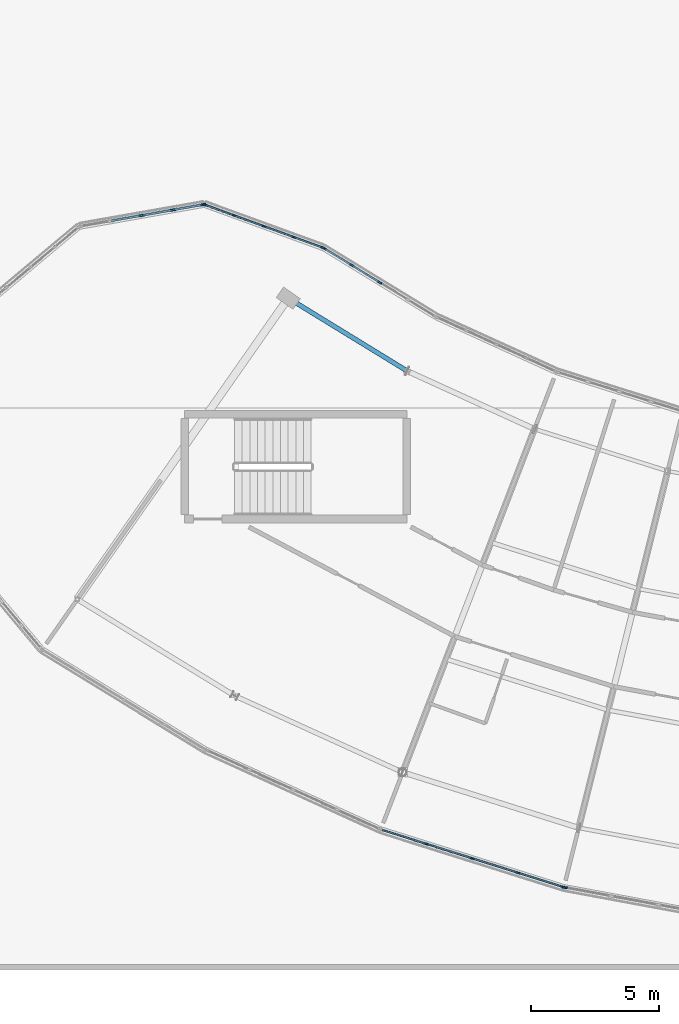
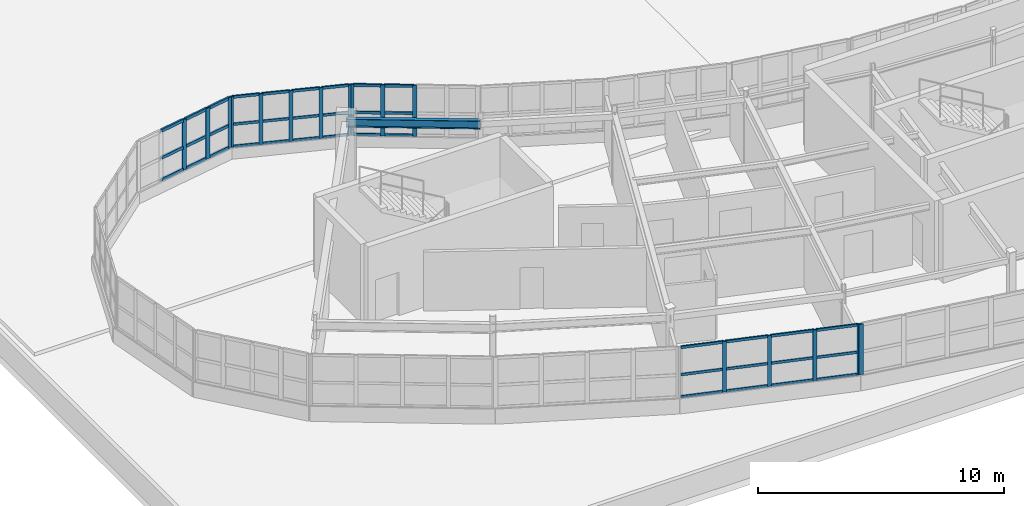
# One storey, part 28 of 128: 55 members, 1 beam, 5 elements without a shape of their own.
"""IFC4 building model written with IfcOpenShell, lengths in metres."""

from ifc_helpers import new_model, si_unit, direction, frame, origin, origin_2d, place, context, subcontext, project, spatial, rectangle, i_section, extrude, material, layer, layer_set, material_profile, profile_set, type_object, element, aggregate, save


model = new_model("IFC4")

# Units and contexts
model_context = context("Model", 3, precision=1e-05, world=origin(), true_north=direction((0.0, 1.0)))
body_context = subcontext(model_context, "Body", "Model", "MODEL_VIEW")
ifc_project = project(units=[si_unit("LENGTHUNIT", "METRE"), si_unit("AREAUNIT", "SQUARE_METRE"), si_unit("VOLUMEUNIT", "CUBIC_METRE"), si_unit("PLANEANGLEUNIT", "RADIAN"), si_unit("MASSUNIT", "GRAM", prefix="KILO")], contexts=[model_context])

# Site, building, storey
site_placement = place(None, origin())
site = spatial("IfcSite", under=ifc_project, at=site_placement, CompositionType="ELEMENT")
building_placement = place(site_placement, origin())
building = spatial("IfcBuilding", under=site, at=building_placement, Name="Tarnwether General Hospital", CompositionType="ELEMENT")
storey_placement = place(building_placement, frame((0.0, 0.0, 14.39990234375)))
storey = spatial("IfcBuildingStorey", under=building, at=storey_placement, Name="L03", CompositionType="ELEMENT", Elevation=14.39990234375)

# Beam
ifc_material_1 = material(Name="Steel Grade 350 (350 MPa)", Category="steel")
ifc_material_profile_1 = material_profile(ifc_material_1, i_section(OverallWidth=0.177978515625, OverallDepth=0.403076171875, WebThickness=0.007568359375, FlangeThickness=0.010986328125, at=origin_2d()), Name="410UB53.7")
ifc_profile_set_1 = profile_set([ifc_material_profile_1], Name="Steel Grade 350 (350 MPa)")
beam_type = type_object("IfcBeamType", Name="BM-SP2", PredefinedType="SPANDREL", material=ifc_profile_set_1)
beam_placement = place(storey_placement, frame((66.303955078125, 26.302001953125, 3.358642578125), z_axis=(0.85265897909, -0.522467860617, 0.0), x_axis=(0.522467860617, 0.85265897909, 0.0)))
element("IfcBeam", 1, at=beam_placement, inside=storey, type_object=beam_type, Name="Curved Ward SE Inner Spandrel BMG-L03-6630_2630-7097_2344-2106", PredefinedType="SPANDREL", context=body_context, shape_type="SweptSolid", body=[
    extrude(i_section(OverallWidth=0.177978515625, OverallDepth=0.403076171875, WebThickness=0.007568359375, FlangeThickness=0.010986328125, at=origin_2d()), origin(), (0.0, 0.0, 1.0), 5.469970703125),
])

# Curtain wall, members
ifc_material_2 = material(Name="Anodised aluminium", Category="aluminium")
ifc_layer_1 = layer(ifc_material_2, 0.159912109375)
ifc_layer_set_1 = layer_set([ifc_layer_1], Name="Anodised aluminium")
curtain_wall_type_1 = type_object("IfcCurtainWallType", Name="CW-04", PredefinedType="NOTDEFINED", material=ifc_layer_set_1)
curtain_wall_1_placement = place(storey_placement, origin())
curtain_wall_1 = element("IfcCurtainWall", 2, at=curtain_wall_1_placement, inside=storey, type_object=curtain_wall_type_1, Name="Curtain Wall CWG-L03-677_283-0179", PredefinedType="NOTDEFINED")
ifc_material_3 = material(Name="Anodised aluminium", Category="aluminium")
ifc_material_profile_2 = material_profile(ifc_material_3, rectangle(XDim=0.070068359375, YDim=0.179931640625, at=origin_2d()), Name="ALU-MUL-70x180")
ifc_profile_set_2 = profile_set([ifc_material_profile_2], Name="Anodised aluminium")
member_type_1 = type_object("IfcMemberType", Name="CW-ML2", PredefinedType="MULLION", material=ifc_profile_set_2)
member_1_placement = place(storey_placement, frame((67.7099609375, 28.249755859375, 1.050048828125), z_axis=(0.0, 0.0, 1.0), x_axis=(0.522512231483, 0.852631789198, 0.0)))
member_1 = element("IfcMember", 3, at=member_1_placement, type_object=member_type_1, Name="CW-04 mullion 1", PredefinedType="MULLION", context=body_context, shape_type="SweptSolid", body=[
    extrude(rectangle(XDim=0.070068359375, YDim=0.179931640625, at=origin_2d()), origin(), (0.0, 0.0, 1.0), 2.510009765625),
])
member_2_placement = place(storey_placement, frame((68.783447265625, 27.591796875, 1.050048828125), z_axis=(0.0, 0.0, 1.0), x_axis=(0.522512231483, 0.852631789198, 0.0)))
member_2 = element("IfcMember", 4, at=member_2_placement, type_object=member_type_1, Name="CW-04 mullion 2", PredefinedType="MULLION", context=body_context, shape_type="SweptSolid", body=[
    extrude(rectangle(XDim=0.070068359375, YDim=0.179931640625, at=origin_2d()), origin(), (0.0, 0.0, 1.0), 2.510009765625),
])
member_3_placement = place(storey_placement, frame((69.886962890625, 26.91552734375, 1.050048828125), z_axis=(0.0, 0.0, 1.0), x_axis=(0.522512231483, 0.852631789198, 0.0)))
member_3 = element("IfcMember", 5, at=member_3_placement, type_object=member_type_1, Name="CW-04 mullion 3", PredefinedType="MULLION", context=body_context, shape_type="SweptSolid", body=[
    extrude(rectangle(XDim=0.070068359375, YDim=0.179931640625, at=origin_2d()), origin(), (0.0, 0.0, 1.0), 2.510009765625),
])

ifc_material_4 = material(Name="Anodised aluminium", Category="aluminium")
ifc_layer_2 = layer(ifc_material_4, 0.179931640625)
ifc_layer_set_2 = layer_set([ifc_layer_2], Name="Anodised aluminium")
curtain_wall_type_2 = type_object("IfcCurtainWallType", Name="CW-08", PredefinedType="NOTDEFINED", material=ifc_layer_set_2)
curtain_wall_2_placement = place(storey_placement, origin())
curtain_wall_2 = element("IfcCurtainWall", 6, at=curtain_wall_2_placement, inside=storey, type_object=curtain_wall_type_2, Name="Curtain Wall CWG-L03-771_32-0156", PredefinedType="NOTDEFINED")
ifc_material_5 = material(Name="Anodised aluminium", Category="aluminium")
ifc_material_profile_3 = material_profile(ifc_material_5, rectangle(XDim=0.06494140625, YDim=0.169921875, at=origin_2d()), Name="ALU-MUL-65x170")
ifc_profile_set_3 = profile_set([ifc_material_profile_3], Name="Anodised aluminium")
member_type_2 = type_object("IfcMemberType", Name="CW-ML3", PredefinedType="MULLION", material=ifc_profile_set_3)
member_4_placement = place(storey_placement, frame((77.06689453125, 3.23974609375, 1.050048828125), z_axis=(0.0, 0.0, 1.0), x_axis=(-0.300628613299, -0.953741284032, 0.0)))
member_4 = element("IfcMember", 7, at=member_4_placement, type_object=member_type_2, Name="CW-08 mullion 1", PredefinedType="MULLION", context=body_context, shape_type="SweptSolid", body=[
    extrude(rectangle(XDim=0.06494140625, YDim=0.169921875, at=origin_2d()), origin(), (0.0, 0.0, 1.0), 2.510009765625),
])
member_5_placement = place(storey_placement, frame((75.3046875, 3.795166015625, 1.050048828125), z_axis=(0.0, 0.0, 1.0), x_axis=(-0.300628613299, -0.953741284032, 0.0)))
member_5 = element("IfcMember", 8, at=member_5_placement, type_object=member_type_2, Name="CW-08 mullion 2", PredefinedType="MULLION", context=body_context, shape_type="SweptSolid", body=[
    extrude(rectangle(XDim=0.06494140625, YDim=0.169921875, at=origin_2d()), origin(), (0.0, 0.0, 1.0), 2.510009765625),
])
member_6_placement = place(storey_placement, frame((73.511474609375, 4.360595703125, 1.050048828125), z_axis=(0.0, 0.0, 1.0), x_axis=(-0.300628613299, -0.953741284032, 0.0)))
member_6 = element("IfcMember", 9, at=member_6_placement, type_object=member_type_2, Name="CW-08 mullion 3", PredefinedType="MULLION", context=body_context, shape_type="SweptSolid", body=[
    extrude(rectangle(XDim=0.06494140625, YDim=0.169921875, at=origin_2d()), origin(), (0.0, 0.0, 1.0), 2.510009765625),
])
member_7_placement = place(storey_placement, frame((71.71826171875, 4.92578125, 1.050048828125), z_axis=(0.0, 0.0, 1.0), x_axis=(-0.300628613299, -0.953741284032, 0.0)))
member_7 = element("IfcMember", 10, at=member_7_placement, type_object=member_type_2, Name="CW-08 mullion 4", PredefinedType="MULLION", context=body_context, shape_type="SweptSolid", body=[
    extrude(rectangle(XDim=0.06494140625, YDim=0.169921875, at=origin_2d()), origin(), (0.0, 0.0, 1.0), 2.510009765625),
])

curtain_wall_3_placement = place(storey_placement, origin())
curtain_wall_3 = element("IfcCurtainWall", 11, at=curtain_wall_3_placement, inside=storey, type_object=curtain_wall_type_1, Name="Curtain Wall CWG-L03-630_300-0180", PredefinedType="NOTDEFINED")
member_8_placement = place(storey_placement, frame((63.04150390625, 29.956787109375, 1.050048828125), z_axis=(0.0, 0.0, 1.0), x_axis=(0.342130850834, 0.939652319163, 0.0)))
member_8 = element("IfcMember", 12, at=member_8_placement, type_object=member_type_2, Name="CW-04 mullion 1", PredefinedType="MULLION", context=body_context, shape_type="SweptSolid", body=[
    extrude(rectangle(XDim=0.06494140625, YDim=0.169921875, at=origin_2d()), origin(), (0.0, 0.0, 1.0), 2.510009765625),
])
member_9_placement = place(storey_placement, frame((64.17822265625, 29.54296875, 1.050048828125), z_axis=(0.0, 0.0, 1.0), x_axis=(0.342130850834, 0.939652319163, 0.0)))
member_9 = element("IfcMember", 13, at=member_9_placement, type_object=member_type_2, Name="CW-04 mullion 2", PredefinedType="MULLION", context=body_context, shape_type="SweptSolid", body=[
    extrude(rectangle(XDim=0.06494140625, YDim=0.169921875, at=origin_2d()), origin(), (0.0, 0.0, 1.0), 2.510009765625),
])
member_10_placement = place(storey_placement, frame((65.345458984375, 29.117919921875, 1.050048828125), z_axis=(0.0, 0.0, 1.0), x_axis=(0.342130850834, 0.939652319163, 0.0)))
member_10 = element("IfcMember", 14, at=member_10_placement, type_object=member_type_2, Name="CW-04 mullion 3", PredefinedType="MULLION", context=body_context, shape_type="SweptSolid", body=[
    extrude(rectangle(XDim=0.06494140625, YDim=0.169921875, at=origin_2d()), origin(), (0.0, 0.0, 1.0), 2.510009765625),
])
member_11_placement = place(storey_placement, frame((66.5126953125, 28.693115234375, 1.050048828125), z_axis=(0.0, 0.0, 1.0), x_axis=(0.342130850834, 0.939652319163, 0.0)))
member_11 = element("IfcMember", 15, at=member_11_placement, type_object=member_type_2, Name="CW-04 mullion 4", PredefinedType="MULLION", context=body_context, shape_type="SweptSolid", body=[
    extrude(rectangle(XDim=0.06494140625, YDim=0.169921875, at=origin_2d()), origin(), (0.0, 0.0, 1.0), 2.510009765625),
])
member_12_placement = place(storey_placement, frame((67.6494140625, 28.279052734375, 1.050048828125), z_axis=(0.0, 0.0, 1.0), x_axis=(0.342130850834, 0.939652319163, 0.0)))
member_12 = element("IfcMember", 16, at=member_12_placement, type_object=member_type_2, Name="CW-04 mullion 5", PredefinedType="MULLION", context=body_context, shape_type="SweptSolid", body=[
    extrude(rectangle(XDim=0.06494140625, YDim=0.169921875, at=origin_2d()), origin(), (0.0, 0.0, 1.0), 2.510009765625),
])

# Curtain wall, member
curtain_wall_4_placement = place(storey_placement, origin())
curtain_wall_4 = element("IfcCurtainWall", 17, at=curtain_wall_4_placement, inside=storey, type_object=curtain_wall_type_2, Name="Curtain Wall CWG-L03-845_19-0157", PredefinedType="NOTDEFINED")
ifc_material_6 = material(Name="Anodised aluminium", Category="aluminium")
ifc_material_profile_4 = material_profile(ifc_material_6, rectangle(XDim=0.080078125, YDim=0.199951171875, at=origin_2d()), Name="ALU-MUL-80x200")
ifc_profile_set_4 = profile_set([ifc_material_profile_4], Name="Anodised aluminium")
member_type_3 = type_object("IfcMemberType", Name="CW-ML4", PredefinedType="MULLION", material=ifc_profile_set_4)
member_13_placement = place(storey_placement, frame((77.137451171875, 3.22265625, 1.050048828125), z_axis=(0.0, 0.0, 1.0), x_axis=(-0.182289226614, -0.983244953132, 0.0)))
member_13 = element("IfcMember", 18, at=member_13_placement, type_object=member_type_3, Name="CW-08 mullion 5", PredefinedType="MULLION", context=body_context, shape_type="SweptSolid", body=[
    extrude(rectangle(XDim=0.080078125, YDim=0.199951171875, at=origin_2d()), origin(), (0.0, 0.0, 1.0), 2.510009765625),
])
aggregate(curtain_wall_4, [member_13])

# Curtain wall, members
curtain_wall_5_placement = place(storey_placement, origin())
curtain_wall_5 = element("IfcCurtainWall", 19, at=curtain_wall_5_placement, inside=storey, type_object=curtain_wall_type_1, Name="Curtain Wall CWG-L03-581_291-0181", PredefinedType="NOTDEFINED")
member_14_placement = place(storey_placement, frame((60.56396484375, 29.53662109375, 1.050048828125), z_axis=(0.0, 0.0, 1.0), x_axis=(-0.173659059054, 0.984805834268, 0.0)))
member_14 = element("IfcMember", 20, at=member_14_placement, type_object=member_type_3, Name="CW-04 mullion 3", PredefinedType="MULLION", context=body_context, shape_type="SweptSolid", body=[
    extrude(rectangle(XDim=0.080078125, YDim=0.199951171875, at=origin_2d()), origin(), (0.0, 0.0, 1.0), 2.510009765625),
])
member_15_placement = place(storey_placement, frame((61.78759765625, 29.752197265625, 1.050048828125), z_axis=(0.0, 0.0, 1.0), x_axis=(-0.173659059054, 0.984805834268, 0.0)))
member_15 = element("IfcMember", 21, at=member_15_placement, type_object=member_type_3, Name="CW-04 mullion 4", PredefinedType="MULLION", context=body_context, shape_type="SweptSolid", body=[
    extrude(rectangle(XDim=0.080078125, YDim=0.199951171875, at=origin_2d()), origin(), (0.0, 0.0, 1.0), 2.510009765625),
])
member_16_placement = place(storey_placement, frame((62.9716796875, 29.9609375, 1.050048828125), z_axis=(0.0, 0.0, 1.0), x_axis=(-0.173659059054, 0.984805834268, 0.0)))
member_16 = element("IfcMember", 22, at=member_16_placement, type_object=member_type_3, Name="CW-04 mullion 5", PredefinedType="MULLION", context=body_context, shape_type="SweptSolid", body=[
    extrude(rectangle(XDim=0.080078125, YDim=0.199951171875, at=origin_2d()), origin(), (0.0, 0.0, 1.0), 2.510009765625),
])

# Member
ifc_material_7 = material(Name="Anodised aluminium", Category="aluminium")
ifc_material_profile_5 = material_profile(ifc_material_7, rectangle(XDim=0.070068359375, YDim=0.139892578125, at=origin_2d()), Name="ALU-TRN-70x140")
ifc_profile_set_5 = profile_set([ifc_material_profile_5], Name="Anodised aluminium")
member_type_4 = type_object("IfcMemberType", Name="CW-TR2", PredefinedType="USERDEFINED", material=ifc_profile_set_5)
member_17_placement = place(storey_placement, frame((67.73974609375, 28.2314453125, 1.085205078125), z_axis=(0.852636658785, -0.522504285242, 0.0), x_axis=(0.522504285242, 0.852636658785, 0.0)))
member_17 = element("IfcMember", 23, at=member_17_placement, type_object=member_type_4, Name="CW-04 transom 1.1", ObjectType="TRANSOM", PredefinedType="USERDEFINED", context=body_context, shape_type="SweptSolid", body=[
    extrude(rectangle(XDim=0.070068359375, YDim=0.139892578125, at=origin_2d()), origin(), (0.0, 0.0, 1.0), 1.189208984375),
])

member_18_placement = place(storey_placement, frame((67.73974609375, 28.2314453125, 2.1796875), z_axis=(0.852636658785, -0.522504285242, 0.0), x_axis=(0.522504285242, 0.852636658785, 0.0)))
member_18 = element("IfcMember", 24, at=member_18_placement, type_object=member_type_4, Name="CW-04 transom 1.2", ObjectType="TRANSOM", PredefinedType="USERDEFINED", context=body_context, shape_type="SweptSolid", body=[
    extrude(rectangle(XDim=0.070068359375, YDim=0.139892578125, at=origin_2d()), origin(), (0.0, 0.0, 1.0), 1.189208984375),
])

member_19_placement = place(storey_placement, frame((67.73974609375, 28.2314453125, 3.525146484375), z_axis=(0.852636658785, -0.522504285242, 0.0), x_axis=(0.522504285242, 0.852636658785, 0.0)))
member_19 = element("IfcMember", 25, at=member_19_placement, type_object=member_type_4, Name="CW-04 transom 1.3", ObjectType="TRANSOM", PredefinedType="USERDEFINED", context=body_context, shape_type="SweptSolid", body=[
    extrude(rectangle(XDim=0.070068359375, YDim=0.139892578125, at=origin_2d()), origin(), (0.0, 0.0, 1.0), 1.189208984375),
])

member_20_placement = place(storey_placement, frame((68.813232421875, 27.573486328125, 1.085205078125), z_axis=(0.852670027324, -0.522449829651, 0.0), x_axis=(0.522449829651, 0.852670027324, 0.0)))
member_20 = element("IfcMember", 26, at=member_20_placement, type_object=member_type_4, Name="CW-04 transom 2.1", ObjectType="TRANSOM", PredefinedType="USERDEFINED", context=body_context, shape_type="SweptSolid", body=[
    extrude(rectangle(XDim=0.070068359375, YDim=0.139892578125, at=origin_2d()), origin(), (0.0, 0.0, 1.0), 1.224365234375),
])

member_21_placement = place(storey_placement, frame((68.813232421875, 27.573486328125, 2.1796875), z_axis=(0.852670027324, -0.522449829651, 0.0), x_axis=(0.522449829651, 0.852670027324, 0.0)))
member_21 = element("IfcMember", 27, at=member_21_placement, type_object=member_type_4, Name="CW-04 transom 2.2", ObjectType="TRANSOM", PredefinedType="USERDEFINED", context=body_context, shape_type="SweptSolid", body=[
    extrude(rectangle(XDim=0.070068359375, YDim=0.139892578125, at=origin_2d()), origin(), (0.0, 0.0, 1.0), 1.224365234375),
])

member_22_placement = place(storey_placement, frame((68.813232421875, 27.573486328125, 3.525146484375), z_axis=(0.852670027324, -0.522449829651, 0.0), x_axis=(0.522449829651, 0.852670027324, 0.0)))
member_22 = element("IfcMember", 28, at=member_22_placement, type_object=member_type_4, Name="CW-04 transom 2.3", ObjectType="TRANSOM", PredefinedType="USERDEFINED", context=body_context, shape_type="SweptSolid", body=[
    extrude(rectangle(XDim=0.070068359375, YDim=0.139892578125, at=origin_2d()), origin(), (0.0, 0.0, 1.0), 1.224365234375),
])

aggregate(curtain_wall_1, [member_1, member_2, member_3, member_17, member_18, member_19, member_20, member_21, member_22])

ifc_material_8 = material(Name="Anodised aluminium", Category="aluminium")
ifc_material_profile_6 = material_profile(ifc_material_8, rectangle(XDim=0.06494140625, YDim=0.1298828125, at=origin_2d()), Name="ALU-TRN-65x130")
ifc_profile_set_6 = profile_set([ifc_material_profile_6], Name="Anodised aluminium")
member_type_5 = type_object("IfcMemberType", Name="CW-TR3", PredefinedType="USERDEFINED", material=ifc_profile_set_6)
member_23_placement = place(storey_placement, frame((77.035888671875, 3.24951171875, 1.08251953125), z_axis=(-0.953746041138, 0.300613521008, 0.0), x_axis=(-0.300613521008, -0.953746041138, 0.0)))
member_23 = element("IfcMember", 29, at=member_23_placement, type_object=member_type_5, Name="CW-08 transom 1.1", ObjectType="TRANSOM", PredefinedType="USERDEFINED", context=body_context, shape_type="SweptSolid", body=[
    extrude(rectangle(XDim=0.06494140625, YDim=0.1298828125, at=origin_2d()), origin(), (0.0, 0.0, 1.0), 1.78271484375),
])

member_24_placement = place(storey_placement, frame((77.035888671875, 3.24951171875, 2.1796875), z_axis=(-0.953746041138, 0.300613521008, 0.0), x_axis=(-0.300613521008, -0.953746041138, 0.0)))
member_24 = element("IfcMember", 30, at=member_24_placement, type_object=member_type_5, Name="CW-08 transom 1.2", ObjectType="TRANSOM", PredefinedType="USERDEFINED", context=body_context, shape_type="SweptSolid", body=[
    extrude(rectangle(XDim=0.06494140625, YDim=0.1298828125, at=origin_2d()), origin(), (0.0, 0.0, 1.0), 1.78271484375),
])

member_25_placement = place(storey_placement, frame((77.035888671875, 3.24951171875, 3.527587890625), z_axis=(-0.953746041138, 0.300613521008, 0.0), x_axis=(-0.300613521008, -0.953746041138, 0.0)))
member_25 = element("IfcMember", 31, at=member_25_placement, type_object=member_type_5, Name="CW-08 transom 1.3", ObjectType="TRANSOM", PredefinedType="USERDEFINED", context=body_context, shape_type="SweptSolid", body=[
    extrude(rectangle(XDim=0.06494140625, YDim=0.1298828125, at=origin_2d()), origin(), (0.0, 0.0, 1.0), 1.78271484375),
])

member_26_placement = place(storey_placement, frame((75.273681640625, 3.804931640625, 1.08251953125), z_axis=(-0.953708607769, 0.300732258775, 0.0), x_axis=(-0.300732258775, -0.953708607769, 0.0)))
member_26 = element("IfcMember", 32, at=member_26_placement, type_object=member_type_5, Name="CW-08 transom 2.1", ObjectType="TRANSOM", PredefinedType="USERDEFINED", context=body_context, shape_type="SweptSolid", body=[
    extrude(rectangle(XDim=0.06494140625, YDim=0.1298828125, at=origin_2d()), origin(), (0.0, 0.0, 1.0), 1.815185546875),
])

member_27_placement = place(storey_placement, frame((75.273681640625, 3.804931640625, 2.1796875), z_axis=(-0.953708607769, 0.300732258775, 0.0), x_axis=(-0.300732258775, -0.953708607769, 0.0)))
member_27 = element("IfcMember", 33, at=member_27_placement, type_object=member_type_5, Name="CW-08 transom 2.2", ObjectType="TRANSOM", PredefinedType="USERDEFINED", context=body_context, shape_type="SweptSolid", body=[
    extrude(rectangle(XDim=0.06494140625, YDim=0.1298828125, at=origin_2d()), origin(), (0.0, 0.0, 1.0), 1.815185546875),
])

member_28_placement = place(storey_placement, frame((75.273681640625, 3.804931640625, 3.527587890625), z_axis=(-0.953708607769, 0.300732258775, 0.0), x_axis=(-0.300732258775, -0.953708607769, 0.0)))
member_28 = element("IfcMember", 34, at=member_28_placement, type_object=member_type_5, Name="CW-08 transom 2.3", ObjectType="TRANSOM", PredefinedType="USERDEFINED", context=body_context, shape_type="SweptSolid", body=[
    extrude(rectangle(XDim=0.06494140625, YDim=0.1298828125, at=origin_2d()), origin(), (0.0, 0.0, 1.0), 1.815185546875),
])

member_29_placement = place(storey_placement, frame((73.48046875, 4.370361328125, 1.08251953125), z_axis=(-0.953747176305, 0.300609919481, 0.0), x_axis=(-0.300609919481, -0.953747176305, 0.0)))
member_29 = element("IfcMember", 35, at=member_29_placement, type_object=member_type_5, Name="CW-08 transom 3.1", ObjectType="TRANSOM", PredefinedType="USERDEFINED", context=body_context, shape_type="SweptSolid", body=[
    extrude(rectangle(XDim=0.06494140625, YDim=0.1298828125, at=origin_2d()), origin(), (0.0, 0.0, 1.0), 1.815185546875),
])

member_30_placement = place(storey_placement, frame((73.48046875, 4.370361328125, 2.1796875), z_axis=(-0.953747176305, 0.300609919481, 0.0), x_axis=(-0.300609919481, -0.953747176305, 0.0)))
member_30 = element("IfcMember", 36, at=member_30_placement, type_object=member_type_5, Name="CW-08 transom 3.2", ObjectType="TRANSOM", PredefinedType="USERDEFINED", context=body_context, shape_type="SweptSolid", body=[
    extrude(rectangle(XDim=0.06494140625, YDim=0.1298828125, at=origin_2d()), origin(), (0.0, 0.0, 1.0), 1.815185546875),
])

member_31_placement = place(storey_placement, frame((73.48046875, 4.370361328125, 3.527587890625), z_axis=(-0.953747176305, 0.300609919481, 0.0), x_axis=(-0.300609919481, -0.953747176305, 0.0)))
member_31 = element("IfcMember", 37, at=member_31_placement, type_object=member_type_5, Name="CW-08 transom 3.3", ObjectType="TRANSOM", PredefinedType="USERDEFINED", context=body_context, shape_type="SweptSolid", body=[
    extrude(rectangle(XDim=0.06494140625, YDim=0.1298828125, at=origin_2d()), origin(), (0.0, 0.0, 1.0), 1.815185546875),
])

member_32_placement = place(storey_placement, frame((71.687255859375, 4.935546875, 1.08251953125), z_axis=(-0.953746041138, 0.300613521008, 0.0), x_axis=(-0.300613521008, -0.953746041138, 0.0)))
member_32 = element("IfcMember", 38, at=member_32_placement, type_object=member_type_5, Name="CW-08 transom 4.1", ObjectType="TRANSOM", PredefinedType="USERDEFINED", context=body_context, shape_type="SweptSolid", body=[
    extrude(rectangle(XDim=0.06494140625, YDim=0.1298828125, at=origin_2d()), origin(), (0.0, 0.0, 1.0), 1.78271484375),
])

member_33_placement = place(storey_placement, frame((71.687255859375, 4.935546875, 2.1796875), z_axis=(-0.953746041138, 0.300613521008, 0.0), x_axis=(-0.300613521008, -0.953746041138, 0.0)))
member_33 = element("IfcMember", 39, at=member_33_placement, type_object=member_type_5, Name="CW-08 transom 4.2", ObjectType="TRANSOM", PredefinedType="USERDEFINED", context=body_context, shape_type="SweptSolid", body=[
    extrude(rectangle(XDim=0.06494140625, YDim=0.1298828125, at=origin_2d()), origin(), (0.0, 0.0, 1.0), 1.78271484375),
])

member_34_placement = place(storey_placement, frame((71.687255859375, 4.935546875, 3.527587890625), z_axis=(-0.953746041138, 0.300613521008, 0.0), x_axis=(-0.300613521008, -0.953746041138, 0.0)))
member_34 = element("IfcMember", 40, at=member_34_placement, type_object=member_type_5, Name="CW-08 transom 4.3", ObjectType="TRANSOM", PredefinedType="USERDEFINED", context=body_context, shape_type="SweptSolid", body=[
    extrude(rectangle(XDim=0.06494140625, YDim=0.1298828125, at=origin_2d()), origin(), (0.0, 0.0, 1.0), 1.78271484375),
])

aggregate(curtain_wall_2, [member_4, member_5, member_6, member_7, member_23, member_24, member_25, member_26, member_27, member_28, member_29, member_30, member_31, member_32, member_33, member_34])

member_35_placement = place(storey_placement, frame((63.072021484375, 29.94580078125, 1.08251953125), z_axis=(0.9396688237, -0.342085518206, 0.0), x_axis=(0.342085518206, 0.9396688237, 0.0)))
member_35 = element("IfcMember", 41, at=member_35_placement, type_object=member_type_5, Name="CW-04 transom 1.1", ObjectType="TRANSOM", PredefinedType="USERDEFINED", context=body_context, shape_type="SweptSolid", body=[
    extrude(rectangle(XDim=0.06494140625, YDim=0.1298828125, at=origin_2d()), origin(), (0.0, 0.0, 1.0), 1.144775390625),
])

member_36_placement = place(storey_placement, frame((63.072021484375, 29.94580078125, 2.1796875), z_axis=(0.9396688237, -0.342085518206, 0.0), x_axis=(0.342085518206, 0.9396688237, 0.0)))
member_36 = element("IfcMember", 42, at=member_36_placement, type_object=member_type_5, Name="CW-04 transom 1.2", ObjectType="TRANSOM", PredefinedType="USERDEFINED", context=body_context, shape_type="SweptSolid", body=[
    extrude(rectangle(XDim=0.06494140625, YDim=0.1298828125, at=origin_2d()), origin(), (0.0, 0.0, 1.0), 1.144775390625),
])

member_37_placement = place(storey_placement, frame((63.072021484375, 29.94580078125, 3.527587890625), z_axis=(0.9396688237, -0.342085518206, 0.0), x_axis=(0.342085518206, 0.9396688237, 0.0)))
member_37 = element("IfcMember", 43, at=member_37_placement, type_object=member_type_5, Name="CW-04 transom 1.3", ObjectType="TRANSOM", PredefinedType="USERDEFINED", context=body_context, shape_type="SweptSolid", body=[
    extrude(rectangle(XDim=0.06494140625, YDim=0.1298828125, at=origin_2d()), origin(), (0.0, 0.0, 1.0), 1.144775390625),
])

member_38_placement = place(storey_placement, frame((64.208740234375, 29.531982421875, 1.08251953125), z_axis=(0.939635897103, -0.34217595017, 0.0), x_axis=(0.34217595017, 0.939635897103, 0.0)))
member_38 = element("IfcMember", 44, at=member_38_placement, type_object=member_type_5, Name="CW-04 transom 2.1", ObjectType="TRANSOM", PredefinedType="USERDEFINED", context=body_context, shape_type="SweptSolid", body=[
    extrude(rectangle(XDim=0.06494140625, YDim=0.1298828125, at=origin_2d()), origin(), (0.0, 0.0, 1.0), 1.17724609375),
])

member_39_placement = place(storey_placement, frame((64.208740234375, 29.531982421875, 2.1796875), z_axis=(0.939635897103, -0.34217595017, 0.0), x_axis=(0.34217595017, 0.939635897103, 0.0)))
member_39 = element("IfcMember", 45, at=member_39_placement, type_object=member_type_5, Name="CW-04 transom 2.2", ObjectType="TRANSOM", PredefinedType="USERDEFINED", context=body_context, shape_type="SweptSolid", body=[
    extrude(rectangle(XDim=0.06494140625, YDim=0.1298828125, at=origin_2d()), origin(), (0.0, 0.0, 1.0), 1.17724609375),
])

member_40_placement = place(storey_placement, frame((64.208740234375, 29.531982421875, 3.527587890625), z_axis=(0.939635897103, -0.34217595017, 0.0), x_axis=(0.34217595017, 0.939635897103, 0.0)))
member_40 = element("IfcMember", 46, at=member_40_placement, type_object=member_type_5, Name="CW-04 transom 2.3", ObjectType="TRANSOM", PredefinedType="USERDEFINED", context=body_context, shape_type="SweptSolid", body=[
    extrude(rectangle(XDim=0.06494140625, YDim=0.1298828125, at=origin_2d()), origin(), (0.0, 0.0, 1.0), 1.17724609375),
])

member_41_placement = place(storey_placement, frame((65.3759765625, 29.10693359375, 1.08251953125), z_axis=(0.939635897103, -0.34217595017, 0.0), x_axis=(0.34217595017, 0.939635897103, 0.0)))
member_41 = element("IfcMember", 47, at=member_41_placement, type_object=member_type_5, Name="CW-04 transom 3.1", ObjectType="TRANSOM", PredefinedType="USERDEFINED", context=body_context, shape_type="SweptSolid", body=[
    extrude(rectangle(XDim=0.06494140625, YDim=0.1298828125, at=origin_2d()), origin(), (0.0, 0.0, 1.0), 1.17724609375),
])

member_42_placement = place(storey_placement, frame((65.3759765625, 29.10693359375, 2.1796875), z_axis=(0.939635897103, -0.34217595017, 0.0), x_axis=(0.34217595017, 0.939635897103, 0.0)))
member_42 = element("IfcMember", 48, at=member_42_placement, type_object=member_type_5, Name="CW-04 transom 3.2", ObjectType="TRANSOM", PredefinedType="USERDEFINED", context=body_context, shape_type="SweptSolid", body=[
    extrude(rectangle(XDim=0.06494140625, YDim=0.1298828125, at=origin_2d()), origin(), (0.0, 0.0, 1.0), 1.17724609375),
])

member_43_placement = place(storey_placement, frame((65.3759765625, 29.10693359375, 3.527587890625), z_axis=(0.939635897103, -0.34217595017, 0.0), x_axis=(0.34217595017, 0.939635897103, 0.0)))
member_43 = element("IfcMember", 49, at=member_43_placement, type_object=member_type_5, Name="CW-04 transom 3.3", ObjectType="TRANSOM", PredefinedType="USERDEFINED", context=body_context, shape_type="SweptSolid", body=[
    extrude(rectangle(XDim=0.06494140625, YDim=0.1298828125, at=origin_2d()), origin(), (0.0, 0.0, 1.0), 1.17724609375),
])

member_44_placement = place(storey_placement, frame((66.543212890625, 28.681884765625, 1.08251953125), z_axis=(0.9396688237, -0.342085518206, 0.0), x_axis=(0.342085518206, 0.9396688237, 0.0)))
member_44 = element("IfcMember", 50, at=member_44_placement, type_object=member_type_5, Name="CW-04 transom 4.1", ObjectType="TRANSOM", PredefinedType="USERDEFINED", context=body_context, shape_type="SweptSolid", body=[
    extrude(rectangle(XDim=0.06494140625, YDim=0.1298828125, at=origin_2d()), origin(), (0.0, 0.0, 1.0), 1.144775390625),
])

member_45_placement = place(storey_placement, frame((66.543212890625, 28.681884765625, 2.1796875), z_axis=(0.9396688237, -0.342085518206, 0.0), x_axis=(0.342085518206, 0.9396688237, 0.0)))
member_45 = element("IfcMember", 51, at=member_45_placement, type_object=member_type_5, Name="CW-04 transom 4.2", ObjectType="TRANSOM", PredefinedType="USERDEFINED", context=body_context, shape_type="SweptSolid", body=[
    extrude(rectangle(XDim=0.06494140625, YDim=0.1298828125, at=origin_2d()), origin(), (0.0, 0.0, 1.0), 1.144775390625),
])

member_46_placement = place(storey_placement, frame((66.543212890625, 28.681884765625, 3.527587890625), z_axis=(0.9396688237, -0.342085518206, 0.0), x_axis=(0.342085518206, 0.9396688237, 0.0)))
member_46 = element("IfcMember", 52, at=member_46_placement, type_object=member_type_5, Name="CW-04 transom 4.3", ObjectType="TRANSOM", PredefinedType="USERDEFINED", context=body_context, shape_type="SweptSolid", body=[
    extrude(rectangle(XDim=0.06494140625, YDim=0.1298828125, at=origin_2d()), origin(), (0.0, 0.0, 1.0), 1.144775390625),
])

aggregate(curtain_wall_3, [member_8, member_9, member_10, member_11, member_12, member_35, member_36, member_37, member_38, member_39, member_40, member_41, member_42, member_43, member_44, member_45, member_46])

ifc_material_9 = material(Name="Anodised aluminium", Category="aluminium")
ifc_material_profile_7 = material_profile(ifc_material_9, rectangle(XDim=0.080078125, YDim=0.14990234375, at=origin_2d()), Name="ALU-TRN-80x150")
ifc_profile_set_7 = profile_set([ifc_material_profile_7], Name="Anodised aluminium")
member_type_6 = type_object("IfcMemberType", Name="CW-TR4", PredefinedType="USERDEFINED", material=ifc_profile_set_7)
member_47_placement = place(storey_placement, frame((59.3798828125, 29.32763671875, 1.090087890625), z_axis=(0.984800468802, 0.173689483408, 0.0), x_axis=(-0.173689483408, 0.984800468802, 0.0)))
member_47 = element("IfcMember", 53, at=member_47_placement, type_object=member_type_6, Name="CW-04 transom 2.1", ObjectType="TRANSOM", PredefinedType="USERDEFINED", context=body_context, shape_type="SweptSolid", body=[
    extrude(rectangle(XDim=0.080078125, YDim=0.14990234375, at=origin_2d()), origin(), (0.0, 0.0, 1.0), 1.162353515625),
])

member_48_placement = place(storey_placement, frame((59.3798828125, 29.32763671875, 2.1796875), z_axis=(0.984800468802, 0.173689483408, 0.0), x_axis=(-0.173689483408, 0.984800468802, 0.0)))
member_48 = element("IfcMember", 54, at=member_48_placement, type_object=member_type_6, Name="CW-04 transom 2.2", ObjectType="TRANSOM", PredefinedType="USERDEFINED", context=body_context, shape_type="SweptSolid", body=[
    extrude(rectangle(XDim=0.080078125, YDim=0.14990234375, at=origin_2d()), origin(), (0.0, 0.0, 1.0), 1.162353515625),
])

member_49_placement = place(storey_placement, frame((59.3798828125, 29.32763671875, 3.52001953125), z_axis=(0.984800468802, 0.173689483408, 0.0), x_axis=(-0.173689483408, 0.984800468802, 0.0)))
member_49 = element("IfcMember", 55, at=member_49_placement, type_object=member_type_6, Name="CW-04 transom 2.3", ObjectType="TRANSOM", PredefinedType="USERDEFINED", context=body_context, shape_type="SweptSolid", body=[
    extrude(rectangle(XDim=0.080078125, YDim=0.14990234375, at=origin_2d()), origin(), (0.0, 0.0, 1.0), 1.162353515625),
])

member_50_placement = place(storey_placement, frame((60.603271484375, 29.54345703125, 1.090087890625), z_axis=(0.984800468802, 0.173689483408, 0.0), x_axis=(-0.173689483408, 0.984800468802, 0.0)))
member_50 = element("IfcMember", 56, at=member_50_placement, type_object=member_type_6, Name="CW-04 transom 3.1", ObjectType="TRANSOM", PredefinedType="USERDEFINED", context=body_context, shape_type="SweptSolid", body=[
    extrude(rectangle(XDim=0.080078125, YDim=0.14990234375, at=origin_2d()), origin(), (0.0, 0.0, 1.0), 1.162353515625),
])

member_51_placement = place(storey_placement, frame((60.603271484375, 29.54345703125, 2.1796875), z_axis=(0.984800468802, 0.173689483408, 0.0), x_axis=(-0.173689483408, 0.984800468802, 0.0)))
member_51 = element("IfcMember", 57, at=member_51_placement, type_object=member_type_6, Name="CW-04 transom 3.2", ObjectType="TRANSOM", PredefinedType="USERDEFINED", context=body_context, shape_type="SweptSolid", body=[
    extrude(rectangle(XDim=0.080078125, YDim=0.14990234375, at=origin_2d()), origin(), (0.0, 0.0, 1.0), 1.162353515625),
])

member_52_placement = place(storey_placement, frame((60.603271484375, 29.54345703125, 3.52001953125), z_axis=(0.984800468802, 0.173689483408, 0.0), x_axis=(-0.173689483408, 0.984800468802, 0.0)))
member_52 = element("IfcMember", 58, at=member_52_placement, type_object=member_type_6, Name="CW-04 transom 3.3", ObjectType="TRANSOM", PredefinedType="USERDEFINED", context=body_context, shape_type="SweptSolid", body=[
    extrude(rectangle(XDim=0.080078125, YDim=0.14990234375, at=origin_2d()), origin(), (0.0, 0.0, 1.0), 1.162353515625),
])

member_53_placement = place(storey_placement, frame((61.826904296875, 29.75927734375, 1.090087890625), z_axis=(0.984816391651, 0.173599178383, 0.0), x_axis=(-0.173599178383, 0.984816391651, 0.0)))
member_53 = element("IfcMember", 59, at=member_53_placement, type_object=member_type_6, Name="CW-04 transom 4.1", ObjectType="TRANSOM", PredefinedType="USERDEFINED", context=body_context, shape_type="SweptSolid", body=[
    extrude(rectangle(XDim=0.080078125, YDim=0.14990234375, at=origin_2d()), origin(), (0.0, 0.0, 1.0), 1.122314453125),
])

member_54_placement = place(storey_placement, frame((61.826904296875, 29.75927734375, 2.1796875), z_axis=(0.984816391651, 0.173599178383, 0.0), x_axis=(-0.173599178383, 0.984816391651, 0.0)))
member_54 = element("IfcMember", 60, at=member_54_placement, type_object=member_type_6, Name="CW-04 transom 4.2", ObjectType="TRANSOM", PredefinedType="USERDEFINED", context=body_context, shape_type="SweptSolid", body=[
    extrude(rectangle(XDim=0.080078125, YDim=0.14990234375, at=origin_2d()), origin(), (0.0, 0.0, 1.0), 1.122314453125),
])

member_55_placement = place(storey_placement, frame((61.826904296875, 29.75927734375, 3.52001953125), z_axis=(0.984816391651, 0.173599178383, 0.0), x_axis=(-0.173599178383, 0.984816391651, 0.0)))
member_55 = element("IfcMember", 61, at=member_55_placement, type_object=member_type_6, Name="CW-04 transom 4.3", ObjectType="TRANSOM", PredefinedType="USERDEFINED", context=body_context, shape_type="SweptSolid", body=[
    extrude(rectangle(XDim=0.080078125, YDim=0.14990234375, at=origin_2d()), origin(), (0.0, 0.0, 1.0), 1.122314453125),
])

aggregate(curtain_wall_5, [member_14, member_15, member_16, member_47, member_48, member_49, member_50, member_51, member_52, member_53, member_54, member_55])

save(model, "model.ifc")
